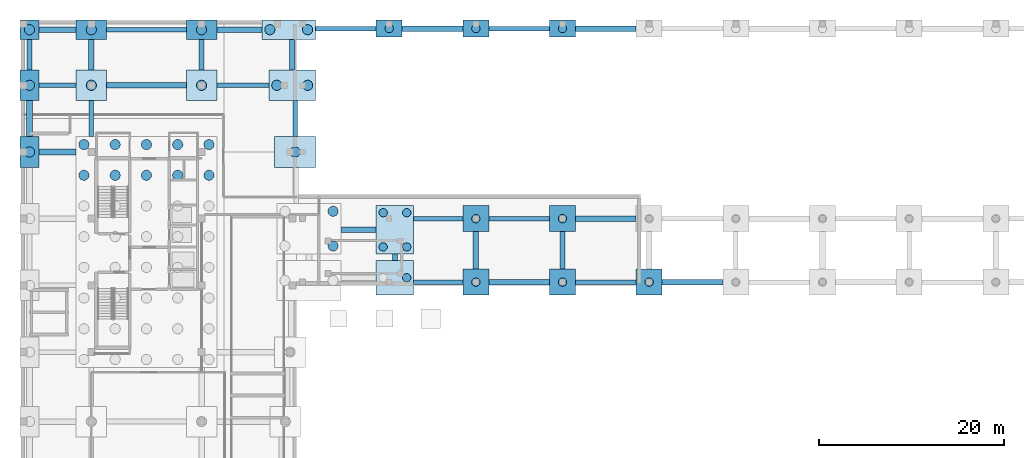
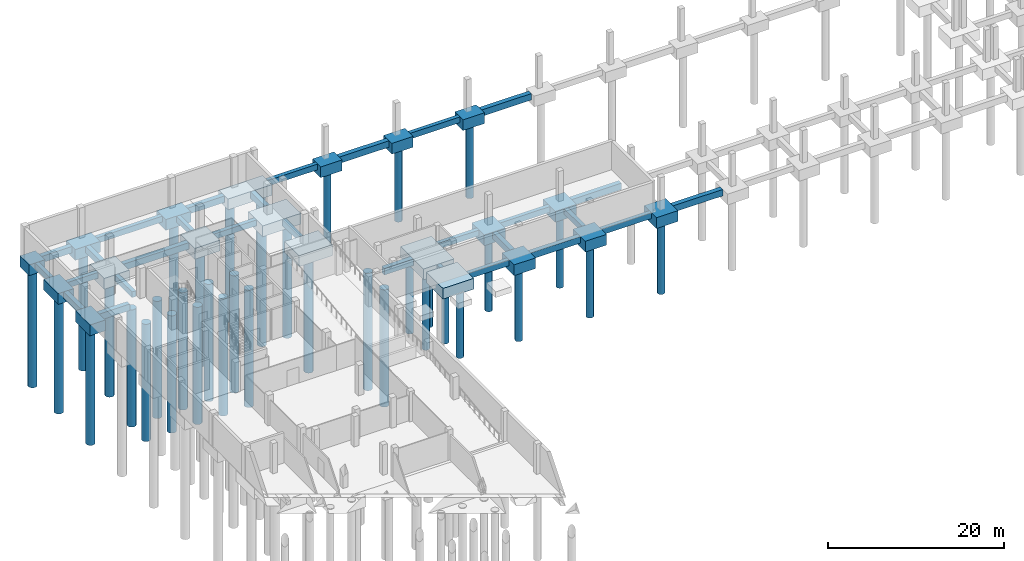
# One storey, part 4 of 21: 49 footings, 37 piles.
"""IFC4 building model written with IfcOpenShell, lengths in metres."""

from ifc_helpers import new_model, si_unit, direction, frame, origin, origin_2d, place, context, subcontext, project, spatial, polyline, circle, outline, extrude, material, material_profile, profile_set, type_object, element, save


model = new_model("IFC4")

# Units and contexts
model_context = context("Model", 3, precision=1e-05, world=origin(), true_north=direction((0.0, 1.0)))
body_context = subcontext(model_context, "Body", "Model", "MODEL_VIEW")
ifc_project = project(units=[si_unit("LENGTHUNIT", "METRE"), si_unit("AREAUNIT", "SQUARE_METRE"), si_unit("VOLUMEUNIT", "CUBIC_METRE"), si_unit("PLANEANGLEUNIT", "RADIAN"), si_unit("MASSUNIT", "GRAM", prefix="KILO")], contexts=[model_context])

# Site, building, storey
site_placement = place(None, origin())
site = spatial("IfcSite", under=ifc_project, at=site_placement, CompositionType="ELEMENT")
building_placement = place(site_placement, origin())
building = spatial("IfcBuilding", under=site, at=building_placement, Name="Quillay Park Conservatory", CompositionType="ELEMENT")
storey_placement = place(building_placement, frame((0.0, 0.0, -8.39990234375)))
storey = spatial("IfcBuildingStorey", under=building, at=storey_placement, Name="B2", CompositionType="ELEMENT", Elevation=-8.39990234375)

# Piles
ifc_material_1 = material(Name="Concrete C35/45 (NCh170 Concrete C35/45)", Category="concrete")
ifc_material_profile_1 = material_profile(ifc_material_1, circle(Radius=0.550048828125, at=origin_2d()), Name="PILE1100")
ifc_profile_set_1 = profile_set([ifc_material_profile_1], Name="Concrete C35/45 (NCh170 Concrete C35/45)")
pile_type_1 = type_object("IfcPileType", Name="BORED CONCRETE PILE 1100", PredefinedType="BORED", material=ifc_profile_set_1)
for number, where, z_axis, x_axis, name in (
    (1, (7.050048828125, 97.085693359375, -1.7001953125), (0.0, 0.0, -1.0), (1.0, 0.0, 0.0), "Bored pile P-0113"),
    (2, (7.050048828125, 100.39990234375, -1.7001953125), (0.0, 0.0, -1.0), (1.0, 0.0, 0.0), "Bored pile P-0114"),
    (3, (10.425048828125, 97.085693359375, -1.7001953125), (0.0, 0.0, -1.0), (1.0, 0.0, 0.0), "Bored pile P-0121"),
    (4, (10.425048828125, 100.39990234375, -1.7001953125), (0.0, 0.0, -1.0), (1.0, 0.0, 0.0), "Bored pile P-0122"),
    (5, (13.800048828125, 97.085693359375, -1.7001953125), (0.0, 0.0, -1.0), (1.0, 0.0, 0.0), "Bored pile P-0129"),
    (6, (13.800048828125, 100.39990234375, -1.7001953125), (0.0, 0.0, -1.0), (1.0, 0.0, 0.0), "Bored pile P-0130"),
    (7, (17.175048828125, 97.085693359375, -1.7001953125), (0.0, 0.0, -1.0), (1.0, 0.0, 0.0), "Bored pile P-0137"),
    (8, (17.175048828125, 100.39990234375, -1.7001953125), (0.0, 0.0, -1.0), (1.0, 0.0, 0.0), "Bored pile P-0138"),
    (9, (20.550048828125, 97.085693359375, -1.7001953125), (0.0, 0.0, -1.0), (1.0, 0.0, 0.0), "Bored pile P-0145"),
    (10, (20.550048828125, 100.39990234375, -1.7001953125), (0.0, 0.0, -1.0), (1.0, 0.0, 0.0), "Bored pile P-0146"),
    (11, (33.949951171875, 89.449951171875, -1.7001953125), (0.0, 0.0, -1.0), (1.0, 0.0, 0.0), "Bored pile P-0207"),
    (12, (33.949951171875, 93.199951171875, -1.7001953125), (0.0, 0.0, -1.0), (1.0, 0.0, 0.0), "Bored pile P-0208"),
    (13, (1.175048828125, 99.60009765625, -1.7001953125), (0.0, 0.0, -1.0), (1.0, 0.0, 0.0), "Bored pile P-0226"),
    (14, (29.85009765625, 99.60009765625, -1.7001953125), (0.0, 0.0, -1.0), (1.0, 0.0, 0.0), "Bored pile P-0227"),
    (15, (1.175048828125, 106.800048828125, -1.7001953125), (0.0, 0.0, -1.0), (1.0, 0.0, 0.0), "Bored pile P-0233"),
    (16, (7.85009765625, 106.800048828125, -1.7001953125), (0.0, 0.0, -1.0), (1.0, 0.0, 0.0), "Bored pile P-0234"),
    (17, (19.75, 106.800048828125, -1.7001953125), (0.0, 0.0, -1.0), (1.0, 0.0, 0.0), "Bored pile P-0235"),
    (18, (27.875, 106.800048828125, -1.7001953125), (0.0, 0.0, -1.0), (1.0, 0.0, 0.0), "Bored pile P-0236"),
    (19, (31.199951171875, 106.800048828125, -1.7001953125), (0.0, 0.0, -1.0), (1.0, 0.0, 0.0), "Bored pile P-0237"),
    (20, (1.175048828125, 112.800048828125, -1.7001953125), (0.0, 0.0, -1.0), (1.0, 0.0, 0.0), "Bored pile P-0243"),
    (21, (7.85009765625, 112.800048828125, -1.7001953125), (0.0, 0.0, -1.0), (1.0, 0.0, 0.0), "Bored pile P-0244"),
    (22, (19.75, 112.800048828125, -1.7001953125), (0.0, 0.0, -1.0), (1.0, 0.0, 0.0), "Bored pile P-0245"),
    (23, (27.125, 112.800048828125, -1.7001953125), (0.0, 0.0, -1.0), (1.0, 0.0, 0.0), "Bored pile P-0246"),
    (24, (31.199951171875, 112.800048828125, -1.7001953125), (0.0, 0.0, -1.0), (1.0, 0.0, 0.0), "Bored pile P-0247"),
):
    element("IfcPile", number, at=place(storey_placement, frame(where, z_axis=z_axis, x_axis=x_axis)), inside=storey, type_object=pile_type_1, Name=name, PredefinedType="BORED", context=body_context, shape_type="SweptSolid", body=[
        extrude(circle(Radius=0.550048828125, at=origin_2d()), origin(), (0.0, 0.0, 1.0), 16.300048828125),
    ])
ifc_material_2 = material(Name="Concrete C35/45 (NCh170 Concrete C35/45)", Category="concrete")
ifc_material_profile_2 = material_profile(ifc_material_2, circle(Radius=0.449951171875, at=origin_2d()), Name="PILE900")
ifc_profile_set_2 = profile_set([ifc_material_profile_2], Name="Concrete C35/45 (NCh170 Concrete C35/45)")
pile_type_2 = type_object("IfcPileType", Name="BORED CONCRETE PILE 900", PredefinedType="BORED", material=ifc_profile_set_2)
for number, where, z_axis, x_axis, name in (
    (25, (41.899658203125, 86.02490234375, -1.7001953125), (0.0, 0.0, -1.0), (1.0, 0.0, 0.0), "Bored pile P-0152"),
    (26, (49.361083984375, 85.550048828125, -1.7001953125), (0.0, 0.0, -1.0), (1.0, 0.0, 0.0), "Bored pile P-0153"),
    (27, (58.716796875, 85.550048828125, -1.7001953125), (0.0, 0.0, -1.0), (1.0, 0.0, 0.0), "Bored pile P-0154"),
    (28, (68.072265625, 85.550048828125, -1.7001953125), (0.0, 0.0, -1.0), (1.0, 0.0, 0.0), "Bored pile P-0155"),
    (29, (39.355712890625, 89.35009765625, -1.7001953125), (0.0, 0.0, -1.0), (1.0, 0.0, 0.0), "Bored pile P-0209"),
    (30, (39.355712890625, 93.050048828125, -1.7001953125), (0.0, 0.0, -1.0), (1.0, 0.0, 0.0), "Bored pile P-0210"),
    (31, (41.899658203125, 89.35009765625, -1.7001953125), (0.0, 0.0, -1.0), (1.0, 0.0, 0.0), "Bored pile P-0211"),
    (32, (41.899658203125, 93.050048828125, -1.7001953125), (0.0, 0.0, -1.0), (1.0, 0.0, 0.0), "Bored pile P-0212"),
    (33, (49.361083984375, 92.39990234375, -1.7001953125), (0.0, 0.0, -1.0), (1.0, 0.0, 0.0), "Bored pile P-0214"),
    (34, (58.716796875, 92.39990234375, -1.7001953125), (0.0, 0.0, -1.0), (1.0, 0.0, 0.0), "Bored pile P-0215"),
    (35, (40.005615234375, 112.925048828125, -1.7001953125), (0.0, 0.0, -1.0), (1.0, 0.0, 0.0), "Bored pile P-0248"),
    (36, (49.361083984375, 112.925048828125, -1.7001953125), (0.0, 0.0, -1.0), (1.0, 0.0, 0.0), "Bored pile P-0249"),
    (37, (58.716796875, 112.925048828125, -1.7001953125), (0.0, 0.0, -1.0), (1.0, 0.0, 0.0), "Bored pile P-0250"),
):
    element("IfcPile", number, at=place(storey_placement, frame(where, z_axis=z_axis, x_axis=x_axis)), inside=storey, type_object=pile_type_2, Name=name, PredefinedType="BORED", context=body_context, shape_type="SweptSolid", body=[
        extrude(circle(Radius=0.449951171875, at=origin_2d()), origin(), (0.0, 0.0, 1.0), 10.300048828125),
    ])

# Footings
ifc_material_3 = material(Name="Concrete C35/45 (NCh170 Concrete C35/45)", Category="concrete")
footing_type_1 = type_object("IfcFootingType", Name="BORED PILE CAP 2050 X2100", PredefinedType="PILE_CAP", material=ifc_material_3)
footing_1_placement = place(storey_placement, frame((0.0, 0.0, -1.800048828125)))
element("IfcFooting", 38, at=footing_1_placement, inside=storey, type_object=footing_type_1, Name="B2 pile cap PC-25 (095)", PredefinedType="PILE_CAP", context=body_context, shape_type="SweptSolid", body=[
    extrude(outline(polyline([(0.14990234375, 111.75), (2.199951171875, 111.75), (2.199951171875, 113.85009765625), (0.14990234375, 113.85009765625), (0.14990234375, 111.75)])), origin(), (0.0, 0.0, 1.0), 1.5),
])
ifc_material_4 = material(Name="Concrete C35/45 (NCh170 Concrete C35/45)", Category="concrete")
footing_type_2 = type_object("IfcFootingType", Name="BORED PILE CAP 2050 X3300", PredefinedType="PILE_CAP", material=ifc_material_4)
footing_2_placement = place(storey_placement, frame((0.0, 0.0, -1.800048828125)))
element("IfcFooting", 39, at=footing_2_placement, inside=storey, type_object=footing_type_2, Name="B2 pile cap PC-15 (079)", PredefinedType="PILE_CAP", context=body_context, shape_type="SweptSolid", body=[
    extrude(outline(polyline([(0.14990234375, 97.949951171875), (2.199951171875, 97.949951171875), (2.199951171875, 101.25), (0.14990234375, 101.25), (0.14990234375, 97.949951171875)])), origin(), (0.0, 0.0, 1.0), 1.5),
])
footing_3_placement = place(storey_placement, frame((0.0, 0.0, -1.800048828125)))
element("IfcFooting", 40, at=footing_3_placement, inside=storey, type_object=footing_type_2, Name="B2 pile cap PC-15 (086)", PredefinedType="PILE_CAP", context=body_context, shape_type="SweptSolid", body=[
    extrude(outline(polyline([(0.14990234375, 105.14990234375), (2.199951171875, 105.14990234375), (2.199951171875, 108.449951171875), (0.14990234375, 108.449951171875), (0.14990234375, 105.14990234375)])), origin(), (0.0, 0.0, 1.0), 1.5),
])
ifc_material_5 = material(Name="Concrete C35/45 (NCh170 Concrete C35/45)", Category="concrete")
footing_type_3 = type_object("IfcFootingType", Name="BORED PILE CAP 2800 X1850", PredefinedType="PILE_CAP", material=ifc_material_5)
footing_4_placement = place(storey_placement, frame((0.0, 0.0, -1.800048828125)))
element("IfcFooting", 41, at=footing_4_placement, inside=storey, type_object=footing_type_3, Name="B2 pile cap PC-28 (099)", PredefinedType="PILE_CAP", context=body_context, shape_type="SweptSolid", body=[
    extrude(outline(polyline([(38.605712890625, 112.0), (41.405517578125, 112.0), (41.405517578125, 113.85009765625), (38.605712890625, 113.85009765625), (38.605712890625, 112.0)])), origin(), (0.0, 0.0, 1.0), 1.5),
])
footing_5_placement = place(storey_placement, frame((0.0, 0.0, -1.800048828125)))
element("IfcFooting", 42, at=footing_5_placement, inside=storey, type_object=footing_type_3, Name="B2 pile cap PC-28 (100)", PredefinedType="PILE_CAP", context=body_context, shape_type="SweptSolid", body=[
    extrude(outline(polyline([(47.961181640625, 112.0), (50.760986328125, 112.0), (50.760986328125, 113.85009765625), (47.961181640625, 113.85009765625), (47.961181640625, 112.0)])), origin(), (0.0, 0.0, 1.0), 1.5),
])
footing_6_placement = place(storey_placement, frame((0.0, 0.0, -1.800048828125)))
element("IfcFooting", 43, at=footing_6_placement, inside=storey, type_object=footing_type_3, Name="B2 pile cap PC-28 (101)", PredefinedType="PILE_CAP", context=body_context, shape_type="SweptSolid", body=[
    extrude(outline(polyline([(57.316650390625, 112.0), (60.11669921875, 112.0), (60.11669921875, 113.85009765625), (57.316650390625, 113.85009765625), (57.316650390625, 112.0)])), origin(), (0.0, 0.0, 1.0), 1.5),
])
ifc_material_6 = material(Name="Concrete C35/45 (NCh170 Concrete C35/45)", Category="concrete")
footing_type_4 = type_object("IfcFootingType", Name="BORED PILE CAP 2800 X2800", PredefinedType="PILE_CAP", material=ifc_material_6)
footing_7_placement = place(storey_placement, frame((0.0, 0.0, -1.800048828125)))
element("IfcFooting", 44, at=footing_7_placement, inside=storey, type_object=footing_type_4, Name="B2 pile cap PC-05 (051)", PredefinedType="PILE_CAP", context=body_context, shape_type="SweptSolid", body=[
    extrude(outline(polyline([(47.961181640625, 84.14990234375), (50.760986328125, 84.14990234375), (50.760986328125, 86.949951171875), (47.961181640625, 86.949951171875), (47.961181640625, 84.14990234375)])), origin(), (0.0, 0.0, 1.0), 1.5),
])
footing_8_placement = place(storey_placement, frame((0.0, 0.0, -1.800048828125)))
element("IfcFooting", 45, at=footing_8_placement, inside=storey, type_object=footing_type_4, Name="B2 pile cap PC-05 (052)", PredefinedType="PILE_CAP", context=body_context, shape_type="SweptSolid", body=[
    extrude(outline(polyline([(57.316650390625, 84.14990234375), (60.11669921875, 84.14990234375), (60.11669921875, 86.949951171875), (57.316650390625, 86.949951171875), (57.316650390625, 84.14990234375)])), origin(), (0.0, 0.0, 1.0), 1.5),
])
footing_9_placement = place(storey_placement, frame((0.0, 0.0, -1.800048828125)))
element("IfcFooting", 46, at=footing_9_placement, inside=storey, type_object=footing_type_4, Name="B2 pile cap PC-05 (053)", PredefinedType="PILE_CAP", context=body_context, shape_type="SweptSolid", body=[
    extrude(outline(polyline([(66.672119140625, 84.14990234375), (69.47216796875, 84.14990234375), (69.47216796875, 86.949951171875), (66.672119140625, 86.949951171875), (66.672119140625, 84.14990234375)])), origin(), (0.0, 0.0, 1.0), 1.5),
])
footing_10_placement = place(storey_placement, frame((0.0, 0.0, -1.800048828125)))
element("IfcFooting", 47, at=footing_10_placement, inside=storey, type_object=footing_type_4, Name="B2 pile cap PC-05 (067)", PredefinedType="PILE_CAP", context=body_context, shape_type="SweptSolid", body=[
    extrude(outline(polyline([(47.961181640625, 91.0), (50.760986328125, 91.0), (50.760986328125, 93.800048828125), (47.961181640625, 93.800048828125), (47.961181640625, 91.0)])), origin(), (0.0, 0.0, 1.0), 1.5),
])
footing_11_placement = place(storey_placement, frame((0.0, 0.0, -1.800048828125)))
element("IfcFooting", 48, at=footing_11_placement, inside=storey, type_object=footing_type_4, Name="B2 pile cap PC-05 (068)", PredefinedType="PILE_CAP", context=body_context, shape_type="SweptSolid", body=[
    extrude(outline(polyline([(57.316650390625, 91.0), (60.11669921875, 91.0), (60.11669921875, 93.800048828125), (57.316650390625, 93.800048828125), (57.316650390625, 91.0)])), origin(), (0.0, 0.0, 1.0), 1.5),
])
ifc_material_7 = material(Name="Concrete C35/45 (NCh170 Concrete C35/45)", Category="concrete")
footing_type_5 = type_object("IfcFootingType", Name="BORED PILE CAP 3300 X2100", PredefinedType="PILE_CAP", material=ifc_material_7)
footing_12_placement = place(storey_placement, frame((0.0, 0.0, -1.800048828125)))
element("IfcFooting", 49, at=footing_12_placement, inside=storey, type_object=footing_type_5, Name="B2 pile cap PC-26 (096)", PredefinedType="PILE_CAP", context=body_context, shape_type="SweptSolid", body=[
    extrude(outline(polyline([(6.199951171875, 111.75), (9.5, 111.75), (9.5, 113.85009765625), (6.199951171875, 113.85009765625), (6.199951171875, 111.75)])), origin(), (0.0, 0.0, 1.0), 1.5),
])
footing_13_placement = place(storey_placement, frame((0.0, 0.0, -1.800048828125)))
element("IfcFooting", 50, at=footing_13_placement, inside=storey, type_object=footing_type_5, Name="B2 pile cap PC-26 (097)", PredefinedType="PILE_CAP", context=body_context, shape_type="SweptSolid", body=[
    extrude(outline(polyline([(18.10009765625, 111.75), (21.39990234375, 111.75), (21.39990234375, 113.85009765625), (18.10009765625, 113.85009765625), (18.10009765625, 111.75)])), origin(), (0.0, 0.0, 1.0), 1.5),
])
ifc_material_8 = material(Name="Concrete C35/45 (NCh170 Concrete C35/45)", Category="concrete")
footing_type_6 = type_object("IfcFootingType", Name="BORED PILE CAP 3300 X3300", PredefinedType="PILE_CAP", material=ifc_material_8)
footing_14_placement = place(storey_placement, frame((0.0, 0.0, -1.800048828125)))
element("IfcFooting", 51, at=footing_14_placement, inside=storey, type_object=footing_type_6, Name="B2 pile cap PC-14 (087)", PredefinedType="PILE_CAP", context=body_context, shape_type="SweptSolid", body=[
    extrude(outline(polyline([(6.199951171875, 105.14990234375), (9.5, 105.14990234375), (9.5, 108.449951171875), (6.199951171875, 108.449951171875), (6.199951171875, 105.14990234375)])), origin(), (0.0, 0.0, 1.0), 1.5),
])
footing_15_placement = place(storey_placement, frame((0.0, 0.0, -1.800048828125)))
element("IfcFooting", 52, at=footing_15_placement, inside=storey, type_object=footing_type_6, Name="B2 pile cap PC-14 (088)", PredefinedType="PILE_CAP", context=body_context, shape_type="SweptSolid", body=[
    extrude(outline(polyline([(18.10009765625, 105.14990234375), (21.39990234375, 105.14990234375), (21.39990234375, 108.449951171875), (18.10009765625, 108.449951171875), (18.10009765625, 105.14990234375)])), origin(), (0.0, 0.0, 1.0), 1.5),
])
ifc_material_9 = material(Name="Concrete C35/45 (NCh170 Concrete C35/45)", Category="concrete")
footing_type_7 = type_object("IfcFootingType", Name="BORED PILE CAP 4044 X3750", PredefinedType="PILE_CAP", material=ifc_material_9)
footing_16_placement = place(storey_placement, frame((0.0, 0.0, -1.800048828125)))
element("IfcFooting", 53, at=footing_16_placement, inside=storey, type_object=footing_type_7, Name="B2 pile cap PC-18 (050)", PredefinedType="PILE_CAP", context=body_context, shape_type="SweptSolid", body=[
    extrude(outline(polyline([(38.605712890625, 84.14990234375), (42.64990234375, 84.14990234375), (42.64990234375, 87.89990234375), (38.605712890625, 87.89990234375), (38.605712890625, 84.14990234375)])), origin(), (0.0, 0.0, 1.0), 1.5),
])
ifc_material_10 = material(Name="Concrete C35/45 (NCh170 Concrete C35/45)", Category="concrete")
footing_type_8 = type_object("IfcFootingType", Name="BORED PILE CAP 4044 X5200", PredefinedType="PILE_CAP", material=ifc_material_10)
footing_17_placement = place(storey_placement, frame((0.0, 0.0, -1.800048828125)))
element("IfcFooting", 54, at=footing_17_placement, inside=storey, type_object=footing_type_8, Name="B2 pile cap PC-22 (065)", PredefinedType="PILE_CAP", context=body_context, shape_type="SweptSolid", body=[
    extrude(outline(polyline([(38.605712890625, 88.60009765625), (42.64990234375, 88.60009765625), (42.64990234375, 93.800048828125), (38.605712890625, 93.800048828125), (38.605712890625, 88.60009765625)])), origin(), (0.0, 0.0, 1.0), 1.5),
])
ifc_material_11 = material(Name="Concrete C35/45 (NCh170 Concrete C35/45)", Category="concrete")
footing_type_9 = type_object("IfcFootingType", Name="BORED PILE CAP 4400 X3300", PredefinedType="PILE_CAP", material=ifc_material_11)
footing_18_placement = place(storey_placement, frame((0.0, 0.0, -1.800048828125)))
element("IfcFooting", 55, at=footing_18_placement, inside=storey, type_object=footing_type_9, Name="B2 pile cap PC-23 (080)", PredefinedType="PILE_CAP", context=body_context, shape_type="SweptSolid", body=[
    extrude(outline(polyline([(27.64990234375, 97.949951171875), (32.050048828125, 97.949951171875), (32.050048828125, 101.25), (27.64990234375, 101.25), (27.64990234375, 97.949951171875)])), origin(), (0.0, 0.0, 1.0), 1.5),
])
ifc_material_12 = material(Name="Concrete C35/45 (NCh170 Concrete C35/45)", Category="concrete")
footing_type_10 = type_object("IfcFootingType", Name="BORED PILE CAP 5025 X3300", PredefinedType="PILE_CAP", material=ifc_material_12)
footing_19_placement = place(storey_placement, frame((0.0, 0.0, -1.800048828125)))
element("IfcFooting", 56, at=footing_19_placement, inside=storey, type_object=footing_type_10, Name="B2 pile cap PC-24 (089)", PredefinedType="PILE_CAP", context=body_context, shape_type="SweptSolid", body=[
    extrude(outline(polyline([(27.02490234375, 105.14990234375), (32.050048828125, 105.14990234375), (32.050048828125, 108.449951171875), (27.02490234375, 108.449951171875), (27.02490234375, 105.14990234375)])), origin(), (0.0, 0.0, 1.0), 1.5),
])
ifc_material_13 = material(Name="Concrete C35/45 (NCh170 Concrete C35/45)", Category="concrete")
footing_type_11 = type_object("IfcFootingType", Name="BORED PILE CAP 5775 X2100", PredefinedType="PILE_CAP", material=ifc_material_13)
footing_20_placement = place(storey_placement, frame((0.0, 0.0, -1.800048828125)))
element("IfcFooting", 57, at=footing_20_placement, inside=storey, type_object=footing_type_11, Name="B2 pile cap PC-27 (098)", PredefinedType="PILE_CAP", context=body_context, shape_type="SweptSolid", body=[
    extrude(outline(polyline([(26.27490234375, 111.75), (32.050048828125, 111.75), (32.050048828125, 113.85009765625), (26.27490234375, 113.85009765625), (26.27490234375, 111.75)])), origin(), (0.0, 0.0, 1.0), 1.5),
])
ifc_material_14 = material(Name="Concrete C35/45 (NCh170 Concrete C35/45)", Category="concrete")
footing_type_12 = type_object("IfcFootingType", Name="SEISMIC GROUND BEAM 500 X800", PredefinedType="FOOTING_BEAM", material=ifc_material_14)
footing_21_placement = place(storey_placement, frame((0.0, 0.0, -1.10009765625)))
element("IfcFooting", 58, at=footing_21_placement, inside=storey, type_object=footing_type_12, Name="Seismic ground tie beam FB-038", PredefinedType="FOOTING_BEAM", context=body_context, shape_type="SweptSolid", body=[
    extrude(outline(polyline([(42.64990234375, 85.300048828125), (47.961181640625, 85.300048828125), (47.961181640625, 85.800048828125), (42.64990234375, 85.800048828125), (42.64990234375, 85.300048828125)])), origin(), (0.0, 0.0, 1.0), 0.800048828125),
])
footing_22_placement = place(storey_placement, frame((0.0, 0.0, -1.10009765625)))
element("IfcFooting", 59, at=footing_22_placement, inside=storey, type_object=footing_type_12, Name="Seismic ground tie beam FB-040", PredefinedType="FOOTING_BEAM", context=body_context, shape_type="SweptSolid", body=[
    extrude(outline(polyline([(60.11669921875, 85.300048828125), (66.672119140625, 85.300048828125), (66.672119140625, 85.800048828125), (60.11669921875, 85.800048828125), (60.11669921875, 85.300048828125)])), origin(), (0.0, 0.0, 1.0), 0.800048828125),
])
footing_23_placement = place(storey_placement, frame((0.0, 0.0, -1.10009765625)))
element("IfcFooting", 60, at=footing_23_placement, inside=storey, type_object=footing_type_12, Name="Seismic ground tie beam FB-052", PredefinedType="FOOTING_BEAM", context=body_context, shape_type="SweptSolid", body=[
    extrude(outline(polyline([(42.64990234375, 92.14990234375), (47.961181640625, 92.14990234375), (47.961181640625, 92.64990234375), (42.64990234375, 92.64990234375), (42.64990234375, 92.14990234375)])), origin(), (0.0, 0.0, 1.0), 0.800048828125),
])
footing_24_placement = place(storey_placement, frame((0.0, 0.0, -1.10009765625)))
element("IfcFooting", 61, at=footing_24_placement, inside=storey, type_object=footing_type_12, Name="Seismic ground tie beam FB-054", PredefinedType="FOOTING_BEAM", context=body_context, shape_type="SweptSolid", body=[
    extrude(outline(polyline([(50.760986328125, 92.14990234375), (57.316650390625, 92.14990234375), (57.316650390625, 92.64990234375), (50.760986328125, 92.64990234375), (50.760986328125, 92.14990234375)])), origin(), (0.0, 0.0, 1.0), 0.800048828125),
])
footing_25_placement = place(storey_placement, frame((0.0, 0.0, -1.10009765625)))
element("IfcFooting", 62, at=footing_25_placement, inside=storey, type_object=footing_type_12, Name="Seismic ground tie beam FB-070", PredefinedType="FOOTING_BEAM", context=body_context, shape_type="SweptSolid", body=[
    extrude(outline(polyline([(2.199951171875, 106.550048828125), (6.199951171875, 106.550048828125), (6.199951171875, 107.050048828125), (2.199951171875, 107.050048828125), (2.199951171875, 106.550048828125)])), origin(), (0.0, 0.0, 1.0), 0.800048828125),
])
footing_26_placement = place(storey_placement, frame((0.0, 0.0, -1.10009765625)))
element("IfcFooting", 63, at=footing_26_placement, inside=storey, type_object=footing_type_12, Name="Seismic ground tie beam FB-072", PredefinedType="FOOTING_BEAM", context=body_context, shape_type="SweptSolid", body=[
    extrude(outline(polyline([(21.39990234375, 106.550048828125), (27.02490234375, 106.550048828125), (27.02490234375, 107.050048828125), (21.39990234375, 107.050048828125), (21.39990234375, 106.550048828125)])), origin(), (0.0, 0.0, 1.0), 0.800048828125),
])
footing_27_placement = place(storey_placement, frame((0.0, 0.0, -1.10009765625)))
element("IfcFooting", 64, at=footing_27_placement, inside=storey, type_object=footing_type_12, Name="Seismic ground tie beam FB-078", PredefinedType="FOOTING_BEAM", context=body_context, shape_type="SweptSolid", body=[
    extrude(outline(polyline([(9.5, 112.550048828125), (18.10009765625, 112.550048828125), (18.10009765625, 113.050048828125), (9.5, 113.050048828125), (9.5, 112.550048828125)])), origin(), (0.0, 0.0, 1.0), 0.800048828125),
])
footing_28_placement = place(storey_placement, frame((0.0, 0.0, -1.10009765625)))
element("IfcFooting", 65, at=footing_28_placement, inside=storey, type_object=footing_type_12, Name="Seismic ground tie beam FB-080", PredefinedType="FOOTING_BEAM", context=body_context, shape_type="SweptSolid", body=[
    extrude(outline(polyline([(32.050048828125, 112.675048828125), (38.605712890625, 112.675048828125), (38.605712890625, 113.175048828125), (32.050048828125, 113.175048828125), (32.050048828125, 112.675048828125)])), origin(), (0.0, 0.0, 1.0), 0.800048828125),
])
footing_29_placement = place(storey_placement, frame((0.0, 0.0, -1.10009765625)))
element("IfcFooting", 66, at=footing_29_placement, inside=storey, type_object=footing_type_12, Name="Seismic ground tie beam FB-082", PredefinedType="FOOTING_BEAM", context=body_context, shape_type="SweptSolid", body=[
    extrude(outline(polyline([(50.760986328125, 112.675048828125), (57.316650390625, 112.675048828125), (57.316650390625, 113.175048828125), (50.760986328125, 113.175048828125), (50.760986328125, 112.675048828125)])), origin(), (0.0, 0.0, 1.0), 0.800048828125),
])
footing_30_placement = place(storey_placement, frame((0.0, 0.0, -1.10009765625)))
element("IfcFooting", 67, at=footing_30_placement, inside=storey, type_object=footing_type_12, Name="Seismic ground tie beam FB-136", PredefinedType="FOOTING_BEAM", context=body_context, shape_type="SweptSolid", body=[
    extrude(outline(polyline([(7.60009765625, 101.25), (8.10009765625, 101.25), (8.10009765625, 105.14990234375), (7.60009765625, 105.14990234375), (7.60009765625, 101.25)])), origin(), (0.0, 0.0, 1.0), 0.800048828125),
])
footing_31_placement = place(storey_placement, frame((0.0, 0.0, -1.10009765625)))
element("IfcFooting", 68, at=footing_31_placement, inside=storey, type_object=footing_type_12, Name="Seismic ground tie beam FB-140", PredefinedType="FOOTING_BEAM", context=body_context, shape_type="SweptSolid", body=[
    extrude(outline(polyline([(40.3779296875, 87.89990234375), (40.8779296875, 87.89990234375), (40.8779296875, 88.60009765625), (40.3779296875, 88.60009765625), (40.3779296875, 87.89990234375)])), origin(), (0.0, 0.0, 1.0), 0.800048828125),
])
footing_32_placement = place(storey_placement, frame((0.0, 0.0, -1.10009765625)))
element("IfcFooting", 69, at=footing_32_placement, inside=storey, type_object=footing_type_12, Name="Seismic ground tie beam FB-142", PredefinedType="FOOTING_BEAM", context=body_context, shape_type="SweptSolid", body=[
    extrude(outline(polyline([(58.467041015625, 86.949951171875), (58.967041015625, 86.949951171875), (58.967041015625, 91.0), (58.467041015625, 91.0), (58.467041015625, 86.949951171875)])), origin(), (0.0, 0.0, 1.0), 0.800048828125),
])
footing_33_placement = place(storey_placement, frame((0.0, 0.0, -1.10009765625)))
element("IfcFooting", 70, at=footing_33_placement, inside=storey, type_object=footing_type_12, Name="Seismic ground tie beam FB-162", PredefinedType="FOOTING_BEAM", context=body_context, shape_type="SweptSolid", body=[
    extrude(outline(polyline([(29.60009765625, 101.25), (30.10009765625, 101.25), (30.10009765625, 105.14990234375), (29.60009765625, 105.14990234375), (29.60009765625, 101.25)])), origin(), (0.0, 0.0, 1.0), 0.800048828125),
])
footing_34_placement = place(storey_placement, frame((0.0, 0.0, -1.10009765625)))
element("IfcFooting", 71, at=footing_34_placement, inside=storey, type_object=footing_type_12, Name="Seismic ground tie beam FB-168", PredefinedType="FOOTING_BEAM", context=body_context, shape_type="SweptSolid", body=[
    extrude(outline(polyline([(0.925048828125, 108.449951171875), (1.425048828125, 108.449951171875), (1.425048828125, 111.75), (0.925048828125, 111.75), (0.925048828125, 108.449951171875)])), origin(), (0.0, 0.0, 1.0), 0.800048828125),
])
footing_35_placement = place(storey_placement, frame((0.0, 0.0, -1.10009765625)))
element("IfcFooting", 72, at=footing_35_placement, inside=storey, type_object=footing_type_12, Name="Seismic ground tie beam FB-170", PredefinedType="FOOTING_BEAM", context=body_context, shape_type="SweptSolid", body=[
    extrude(outline(polyline([(19.5, 108.449951171875), (20.0, 108.449951171875), (20.0, 111.75), (19.5, 111.75), (19.5, 108.449951171875)])), origin(), (0.0, 0.0, 1.0), 0.800048828125),
])
ifc_material_15 = material(Name="Concrete C35/45 (NCh170 Concrete C35/45)", Category="concrete")
footing_type_13 = type_object("IfcFootingType", Name="SEISMIC GROUND BEAM 600 X900", PredefinedType="FOOTING_BEAM", material=ifc_material_15)
footing_36_placement = place(storey_placement, frame((0.0, 0.0, -1.2001953125)))
element("IfcFooting", 73, at=footing_36_placement, inside=storey, type_object=footing_type_13, Name="Seismic ground tie beam FB-039", PredefinedType="FOOTING_BEAM", context=body_context, shape_type="SweptSolid", body=[
    extrude(outline(polyline([(50.760986328125, 85.25), (57.316650390625, 85.25), (57.316650390625, 85.85009765625), (50.760986328125, 85.85009765625), (50.760986328125, 85.25)])), origin(), (0.0, 0.0, 1.0), 0.900146484375),
])
footing_37_placement = place(storey_placement, frame((0.0, 0.0, -1.2001953125)))
element("IfcFooting", 74, at=footing_37_placement, inside=storey, type_object=footing_type_13, Name="Seismic ground tie beam FB-041", PredefinedType="FOOTING_BEAM", context=body_context, shape_type="SweptSolid", body=[
    extrude(outline(polyline([(69.47216796875, 85.25), (76.02783203125, 85.25), (76.02783203125, 85.85009765625), (69.47216796875, 85.85009765625), (69.47216796875, 85.25)])), origin(), (0.0, 0.0, 1.0), 0.900146484375),
])
footing_38_placement = place(storey_placement, frame((0.0, 0.0, -1.2001953125)))
element("IfcFooting", 75, at=footing_38_placement, inside=storey, type_object=footing_type_13, Name="Seismic ground tie beam FB-051", PredefinedType="FOOTING_BEAM", context=body_context, shape_type="SweptSolid", body=[
    extrude(outline(polyline([(34.800048828125, 90.89990234375), (38.605712890625, 90.89990234375), (38.605712890625, 91.5), (34.800048828125, 91.5), (34.800048828125, 90.89990234375)])), origin(), (0.0, 0.0, 1.0), 0.900146484375),
])
footing_39_placement = place(storey_placement, frame((0.0, 0.0, -1.2001953125)))
element("IfcFooting", 76, at=footing_39_placement, inside=storey, type_object=footing_type_13, Name="Seismic ground tie beam FB-055", PredefinedType="FOOTING_BEAM", context=body_context, shape_type="SweptSolid", body=[
    extrude(outline(polyline([(60.11669921875, 92.10009765625), (66.672119140625, 92.10009765625), (66.672119140625, 92.699951171875), (60.11669921875, 92.699951171875), (60.11669921875, 92.10009765625)])), origin(), (0.0, 0.0, 1.0), 0.900146484375),
])
footing_40_placement = place(storey_placement, frame((0.0, 0.0, -1.2001953125)))
element("IfcFooting", 77, at=footing_40_placement, inside=storey, type_object=footing_type_13, Name="Seismic ground tie beam FB-065", PredefinedType="FOOTING_BEAM", context=body_context, shape_type="SweptSolid", body=[
    extrude(outline(polyline([(2.199951171875, 99.300048828125), (6.199951171875, 99.300048828125), (6.199951171875, 99.89990234375), (2.199951171875, 99.89990234375), (2.199951171875, 99.300048828125)])), origin(), (0.0, 0.0, 1.0), 0.900146484375),
])
footing_41_placement = place(storey_placement, frame((0.0, 0.0, -1.2001953125)))
element("IfcFooting", 78, at=footing_41_placement, inside=storey, type_object=footing_type_13, Name="Seismic ground tie beam FB-071", PredefinedType="FOOTING_BEAM", context=body_context, shape_type="SweptSolid", body=[
    extrude(outline(polyline([(9.5, 106.5), (18.10009765625, 106.5), (18.10009765625, 107.10009765625), (9.5, 107.10009765625), (9.5, 106.5)])), origin(), (0.0, 0.0, 1.0), 0.900146484375),
])
footing_42_placement = place(storey_placement, frame((0.0, 0.0, -1.2001953125)))
element("IfcFooting", 79, at=footing_42_placement, inside=storey, type_object=footing_type_13, Name="Seismic ground tie beam FB-077", PredefinedType="FOOTING_BEAM", context=body_context, shape_type="SweptSolid", body=[
    extrude(outline(polyline([(2.199951171875, 112.5), (6.199951171875, 112.5), (6.199951171875, 113.10009765625), (2.199951171875, 113.10009765625), (2.199951171875, 112.5)])), origin(), (0.0, 0.0, 1.0), 0.900146484375),
])
footing_43_placement = place(storey_placement, frame((0.0, 0.0, -1.2001953125)))
element("IfcFooting", 80, at=footing_43_placement, inside=storey, type_object=footing_type_13, Name="Seismic ground tie beam FB-079", PredefinedType="FOOTING_BEAM", context=body_context, shape_type="SweptSolid", body=[
    extrude(outline(polyline([(21.39990234375, 112.5), (26.27490234375, 112.5), (26.27490234375, 113.10009765625), (21.39990234375, 113.10009765625), (21.39990234375, 112.5)])), origin(), (0.0, 0.0, 1.0), 0.900146484375),
])
footing_44_placement = place(storey_placement, frame((0.0, 0.0, -1.2001953125)))
element("IfcFooting", 81, at=footing_44_placement, inside=storey, type_object=footing_type_13, Name="Seismic ground tie beam FB-081", PredefinedType="FOOTING_BEAM", context=body_context, shape_type="SweptSolid", body=[
    extrude(outline(polyline([(41.405517578125, 112.625), (47.961181640625, 112.625), (47.961181640625, 113.22509765625), (41.405517578125, 113.22509765625), (41.405517578125, 112.625)])), origin(), (0.0, 0.0, 1.0), 0.900146484375),
])
footing_45_placement = place(storey_placement, frame((0.0, 0.0, -1.2001953125)))
element("IfcFooting", 82, at=footing_45_placement, inside=storey, type_object=footing_type_13, Name="Seismic ground tie beam FB-083", PredefinedType="FOOTING_BEAM", context=body_context, shape_type="SweptSolid", body=[
    extrude(outline(polyline([(60.11669921875, 112.625), (66.672119140625, 112.625), (66.672119140625, 113.22509765625), (60.11669921875, 113.22509765625), (60.11669921875, 112.625)])), origin(), (0.0, 0.0, 1.0), 0.900146484375),
])
footing_46_placement = place(storey_placement, frame((0.0, 0.0, -1.2001953125)))
element("IfcFooting", 83, at=footing_46_placement, inside=storey, type_object=footing_type_13, Name="Seismic ground tie beam FB-141", PredefinedType="FOOTING_BEAM", context=body_context, shape_type="SweptSolid", body=[
    extrude(outline(polyline([(49.06103515625, 86.949951171875), (49.660888671875, 86.949951171875), (49.660888671875, 91.0), (49.06103515625, 91.0), (49.06103515625, 86.949951171875)])), origin(), (0.0, 0.0, 1.0), 0.900146484375),
])
footing_47_placement = place(storey_placement, frame((0.0, 0.0, -1.2001953125)))
element("IfcFooting", 84, at=footing_47_placement, inside=storey, type_object=footing_type_13, Name="Seismic ground tie beam FB-161", PredefinedType="FOOTING_BEAM", context=body_context, shape_type="SweptSolid", body=[
    extrude(outline(polyline([(0.875, 101.25), (1.47509765625, 101.25), (1.47509765625, 105.14990234375), (0.875, 105.14990234375), (0.875, 101.25)])), origin(), (0.0, 0.0, 1.0), 0.900146484375),
])
footing_48_placement = place(storey_placement, frame((0.0, 0.0, -1.2001953125)))
element("IfcFooting", 85, at=footing_48_placement, inside=storey, type_object=footing_type_13, Name="Seismic ground tie beam FB-169", PredefinedType="FOOTING_BEAM", context=body_context, shape_type="SweptSolid", body=[
    extrude(outline(polyline([(7.550048828125, 108.449951171875), (8.14990234375, 108.449951171875), (8.14990234375, 111.75), (7.550048828125, 111.75), (7.550048828125, 108.449951171875)])), origin(), (0.0, 0.0, 1.0), 0.900146484375),
])
footing_49_placement = place(storey_placement, frame((0.0, 0.0, -1.2001953125)))
element("IfcFooting", 86, at=footing_49_placement, inside=storey, type_object=footing_type_13, Name="Seismic ground tie beam FB-171", PredefinedType="FOOTING_BEAM", context=body_context, shape_type="SweptSolid", body=[
    extrude(outline(polyline([(29.238037109375, 108.449951171875), (29.837890625, 108.449951171875), (29.837890625, 111.75), (29.238037109375, 111.75), (29.238037109375, 108.449951171875)])), origin(), (0.0, 0.0, 1.0), 0.900146484375),
])

save(model, "model.ifc")
